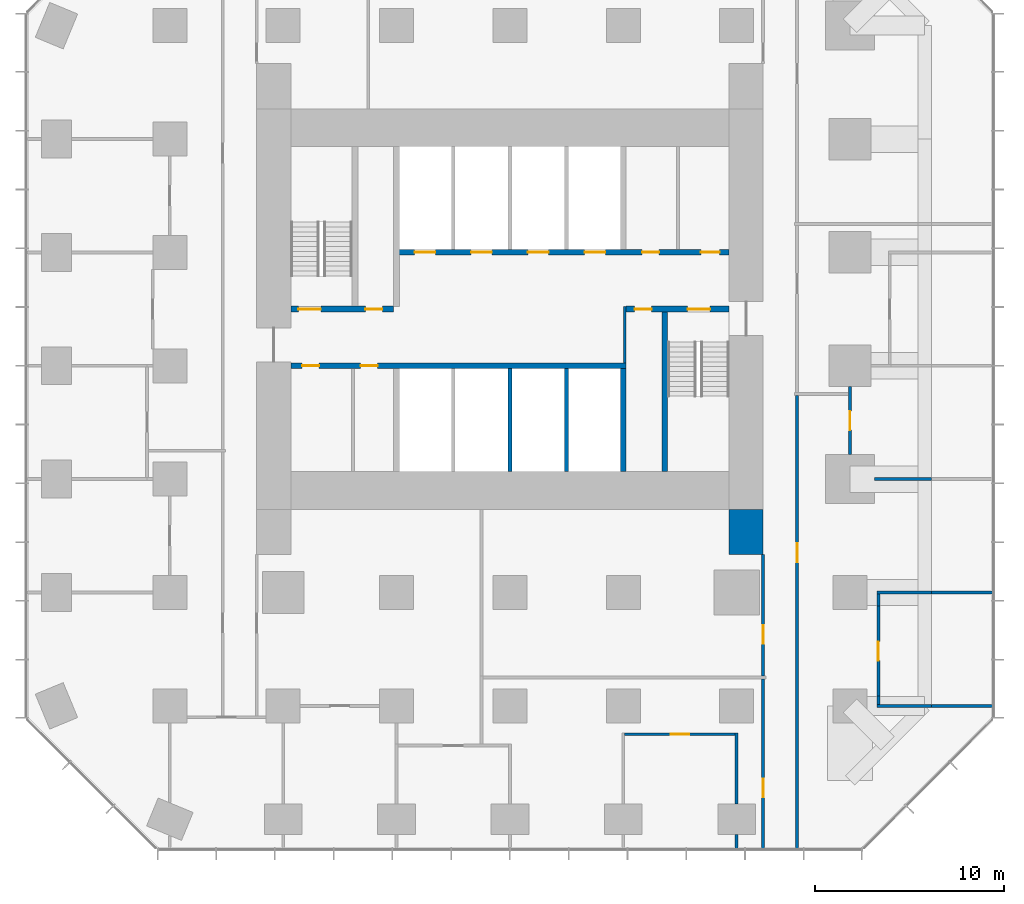
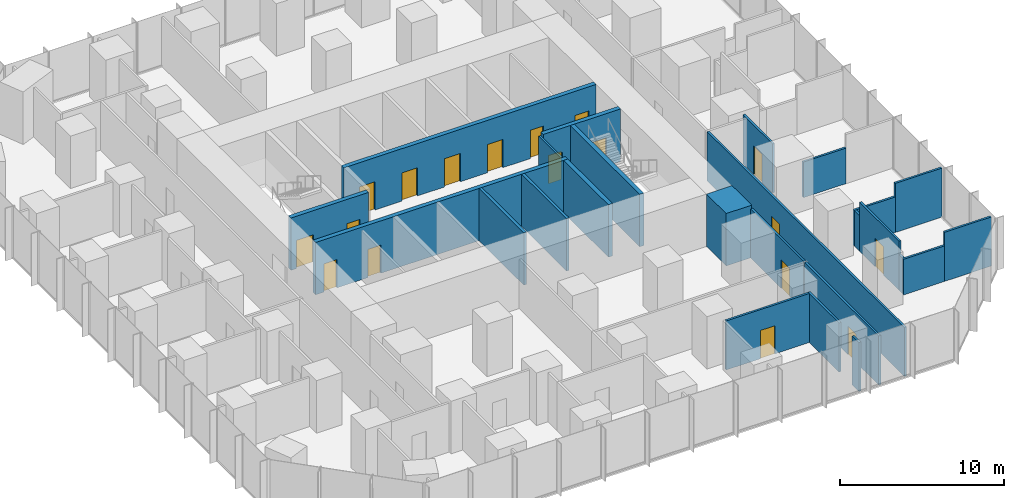
# One storey, part 9 of 12: 25 walls, 18 doors, 18 openings.
"""IFC4 building model written with IfcOpenShell, lengths in metres."""

import ifcopenshell
import ifcopenshell.guid

model = None  # the IFC model being written
_history = None  # IfcOwnerHistory: only IFC2X3 demands one
_inside = {}  # id of a spatial element -> (the spatial element, [elements in it])
_under = {}  # id of a project, library or spatial element -> (it, [spatial elements below it])
_declared = {}  # id of a project -> (the project, [libraries it declares])
_typed = {}  # id of a type object -> (the type object, [elements of that type])
_made_of = {}  # id of a material, layer set ... -> (it, [elements and type objects made of it])


def new_model(schema):
    """Start an empty IFC model of exactly this schema.

    Asked for "IFC4X3", IfcOpenShell would pick the latest addendum, in which some entities
    have other attributes; the version numbers below select the first issue.
    IFC2X3 requires an IfcOwnerHistory on every rooted entity: one is made here for all.
    """
    global model, _history
    if schema == "IFC4X3":
        model = ifcopenshell.file(schema_version=(4, 3, 0, 0))
    else:
        model = ifcopenshell.file(schema=schema)
    _inside.clear()
    _under.clear()
    _declared.clear()
    _typed.clear()
    _made_of.clear()
    _history = None
    if model.schema == "IFC2X3":
        org = make("IfcOrganization", Name="unknown")
        user = make(
            "IfcPersonAndOrganization",
            ThePerson=make("IfcPerson", FamilyName="unknown"),
            TheOrganization=org,
        )
        app = make(
            "IfcApplication",
            ApplicationDeveloper=org,
            Version="unknown",
            ApplicationFullName="unknown",
            ApplicationIdentifier="unknown",
        )
        _history = make(
            "IfcOwnerHistory",
            OwningUser=user,
            OwningApplication=app,
            ChangeAction="ADDED",
            CreationDate=0,
        )
    return model


def make(cls, **values):
    """One entity of the class cls with the attributes given. An attribute that is None is left unset."""
    return model.create_entity(
        cls, **{name: value for name, value in values.items() if value is not None}
    )


def rooted(cls, **values):
    """An entity with a GlobalId (a new one), such as an element, a storey or a relation."""
    return make(cls, GlobalId=ifcopenshell.guid.new(), OwnerHistory=_history, **values)


def si_unit(unit_type, name, prefix=None):
    """IfcSIUnit, for example si_unit("LENGTHUNIT", "METRE", prefix="MILLI")."""
    return make("IfcSIUnit", UnitType=unit_type, Prefix=prefix, Name=name)


def assignment(units):
    """IfcUnitAssignment: the units of a project."""
    return None if units is None else make("IfcUnitAssignment", Units=units)


def point(xyz):
    """IfcCartesianPoint."""
    return None if xyz is None else make("IfcCartesianPoint", Coordinates=xyz)


def direction(xyz):
    """IfcDirection."""
    return None if xyz is None else make("IfcDirection", DirectionRatios=xyz)


def frame(location, z_axis=None, x_axis=None):
    """IfcAxis2Placement3D, a coordinate frame: its origin and axes. An axis left out is left unset."""
    return make(
        "IfcAxis2Placement3D",
        Location=point(location),
        Axis=direction(z_axis),
        RefDirection=direction(x_axis),
    )


def frame_2d(location, x_axis=None):
    """IfcAxis2Placement2D, a coordinate frame in the plane: its origin and x axis."""
    return make(
        "IfcAxis2Placement2D", Location=point(location), RefDirection=direction(x_axis)
    )


def origin():
    """The frame at (0, 0, 0) with its axes left unset."""
    return frame((0.0, 0.0, 0.0))


def place(relative_to, where):
    """IfcLocalPlacement: puts the frame where relative to a parent placement (None: the world)."""
    return make(
        "IfcLocalPlacement", PlacementRelTo=relative_to, RelativePlacement=where
    )


def context(
    kind, dimensions, precision=None, world=None, true_north=None, identifier=None
):
    """IfcGeometricRepresentationContext, for example the 3D "Model" context."""
    return make(
        "IfcGeometricRepresentationContext",
        ContextIdentifier=identifier,
        ContextType=kind,
        CoordinateSpaceDimension=dimensions,
        Precision=precision,
        WorldCoordinateSystem=world,
        TrueNorth=true_north,
    )


def subcontext(parent, identifier, kind, view, scale=None):
    """IfcGeometricRepresentationSubContext, for example "Body" below "Model"."""
    return make(
        "IfcGeometricRepresentationSubContext",
        ContextIdentifier=identifier,
        ContextType=kind,
        ParentContext=parent,
        TargetScale=scale,
        TargetView=view,
    )


def project(units=None, contexts=None):
    """IfcProject with its units and contexts."""
    return rooted(
        "IfcProject",
        Name="project",
        RepresentationContexts=contexts,
        UnitsInContext=assignment(units),
    )


def spatial(cls, under=None, at=None, **own):
    """A site, building, storey or space (cls), placed at a placement, below another one or the project."""
    s = rooted(cls, ObjectPlacement=at, **own)
    if under is not None:
        _under.setdefault(under.id(), (under, []))[1].append(s)
    return s


def profile(cls, at=None, kind="AREA", **sizes):
    """A parametric profile (cls). Its sizes go by their IFC names, for example OverallWidth=200.0."""
    return make(cls, ProfileType=kind, Position=at, **sizes)


def rectangle(**sizes):
    """IfcRectangleProfileDef."""
    return profile("IfcRectangleProfileDef", **sizes)


def extrude(swept, where, along, depth):
    """IfcExtrudedAreaSolid: the profile swept, set in the frame where, extruded along a direction by depth."""
    return make(
        "IfcExtrudedAreaSolid",
        SweptArea=swept,
        Position=where,
        ExtrudedDirection=direction(along),
        Depth=depth,
    )


def shape(context_of_items, identifier, shape_type, items):
    """IfcShapeRepresentation: the items that make up one representation, for example the "Body"."""
    return make(
        "IfcShapeRepresentation",
        ContextOfItems=context_of_items,
        RepresentationIdentifier=identifier,
        RepresentationType=shape_type,
        Items=items,
    )


def material(Name=None, Category=None):
    """IfcMaterial."""
    return make("IfcMaterial", Name=Name, Category=Category)


def layer(
    of_material, thickness, ventilated=None, Name=None, Category=None, Priority=None
):
    """IfcMaterialLayer: one layer of a wall or slab, of a material (None: an air gap)."""
    return make(
        "IfcMaterialLayer",
        Material=of_material,
        LayerThickness=thickness,
        IsVentilated=ventilated,
        Name=Name,
        Category=Category,
        Priority=Priority,
    )


def layer_set(layers, Name=None):
    """IfcMaterialLayerSet."""
    return make("IfcMaterialLayerSet", MaterialLayers=layers, LayerSetName=Name)


def made_of(thing, what):
    """Note that an element or type object is made of a material, layer set ...; save() writes the relation."""
    if what is not None:
        _made_of.setdefault(what.id(), (what, []))[1].append(thing)
    return thing


def type_object(cls, material=None, **own):
    """A type object (cls), such as IfcWallType, which elements share."""
    return made_of(rooted(cls, **own), material)


def element(
    cls,
    number,
    at=None,
    inside=None,
    cuts=None,
    type_object=None,
    material=None,
    context=None,
    identifier="Body",
    shape_type=None,
    held_by="IfcProductDefinitionShape",
    body=None,
    shapes=None,
    **own,
):
    """One element of the class cls, such as IfcWall. Its Tag is "e" and its number.

    at: its placement. inside: the storey or other place that contains it. cuts: it is an
    opening in that element (IfcRelVoidsElement). A single representation is given by context,
    identifier, shape_type and body (its items); several are given by shapes. held_by: the class
    of the entity that holds the representations. save() writes the other relations.
    """
    e = rooted(cls, Tag="e%d" % number, ObjectPlacement=at, **own)
    if body is not None:
        shapes = [shape(context, identifier, shape_type, body)]
    if shapes is not None:
        e.Representation = make(held_by, Representations=shapes)
    if inside is not None:
        _inside.setdefault(inside.id(), (inside, []))[1].append(e)
    if cuts is not None:
        rooted(
            "IfcRelVoidsElement", RelatingBuildingElement=cuts, RelatedOpeningElement=e
        )
    if type_object is not None:
        _typed.setdefault(type_object.id(), (type_object, []))[1].append(e)
    return made_of(e, material)


def fill(opening, filler):
    """IfcRelFillsElement: the door or window that sits in an opening."""
    return rooted(
        "IfcRelFillsElement",
        RelatingOpeningElement=opening,
        RelatedBuildingElement=filler,
    )


def aggregate(whole, parts):
    """IfcRelAggregates: a whole, such as a stair, and the parts it consists of."""
    return rooted("IfcRelAggregates", RelatingObject=whole, RelatedObjects=parts)


def save(model, path):
    """Write the relations noted so far, then the file.

    IfcRelAggregates (storeys below a building ...), IfcRelContainedInSpatialStructure (elements
    in a storey), IfcRelDefinesByType, IfcRelAssociatesMaterial and IfcRelDeclares: one each for
    every whole, place, type object, material and project.
    """
    for whole, parts in _under.values():
        aggregate(whole, parts)
    for where, things in _inside.values():
        rooted(
            "IfcRelContainedInSpatialStructure",
            RelatedElements=things,
            RelatingStructure=where,
        )
    for kind, things in _typed.values():
        rooted("IfcRelDefinesByType", RelatedObjects=things, RelatingType=kind)
    for what, things in _made_of.values():
        rooted("IfcRelAssociatesMaterial", RelatedObjects=things, RelatingMaterial=what)
    for by, libraries in _declared.values():
        rooted("IfcRelDeclares", RelatingContext=by, RelatedDefinitions=libraries)
    model.write(path)


model = new_model("IFC4")

# Units and contexts
model_context = context("Model", 3, precision=1e-05, world=origin(), true_north=direction((0.0, 1.0)))
body_context = subcontext(model_context, "Body", "Model", "MODEL_VIEW")
ifc_project = project(units=[si_unit("LENGTHUNIT", "METRE"), si_unit("AREAUNIT", "SQUARE_METRE"), si_unit("VOLUMEUNIT", "CUBIC_METRE"), si_unit("PLANEANGLEUNIT", "RADIAN"), si_unit("MASSUNIT", "GRAM", prefix="KILO")], contexts=[model_context])

# Site, building, storey
site_placement = place(None, origin())
site = spatial("IfcSite", under=ifc_project, at=site_placement, CompositionType="ELEMENT")
building_placement = place(site_placement, origin())
building = spatial("IfcBuilding", under=site, at=building_placement, Name="Highveld Stack Headquarters", CompositionType="ELEMENT")
storey_placement = place(building_placement, frame((0.0, 0.0, 57.199951171875)))
storey = spatial("IfcBuildingStorey", under=building, at=storey_placement, Name="L13", CompositionType="ELEMENT", Elevation=57.199951171875)

# Wall, openings, doors
ifc_material_1 = material(Name="Concrete C60/75", Category="concrete")
ifc_layer_1 = layer(ifc_material_1, 0.300048828125)
ifc_layer_set_1 = layer_set([ifc_layer_1], Name="Concrete C60/75")
wall_type_1 = type_object("IfcWallType", Name="CORE WALL 300 C60/75", PredefinedType="SHEAR", material=ifc_layer_set_1)
wall_1_placement = place(storey_placement, frame((-5.60009765625, 0.0, 0.0), z_axis=(0.0, 0.0, 1.0), x_axis=(1.0, 0.0, 0.0)))
wall_1 = element("IfcWall", 1, at=wall_1_placement, inside=storey, type_object=wall_type_1, Name="Core wall I-Y0 L13", PredefinedType="SHEAR", context=body_context, shape_type="SweptSolid", body=[
    extrude(rectangle(XDim=17.75, YDim=0.300048828125, at=frame_2d((8.875, 0.0))), origin(), (0.0, 0.0, 1.0), 3.900146484375),
])
opening_1_placement = place(wall_1_placement, frame((0.60009765625, 0.0, 0.0)))
opening_1 = element("IfcOpeningElement", 2, at=opening_1_placement, cuts=wall_1, Name="Opening L13-07", PredefinedType="OPENING", context=body_context, shape_type="SweptSolid", body=[
    extrude(rectangle(XDim=0.89990234375, YDim=2.10009765625, at=frame_2d((0.449951171875, 1.050048828125))), frame((0.0, 0.159912109375, 0.0), z_axis=(0.0, -1.0, 0.0), x_axis=(1.0, 0.0, 0.0)), (0.0, 0.0, 1.0), 0.320068359375),
])
opening_2_placement = place(wall_1_placement, frame((3.699951171875, 0.0, 0.0)))
opening_2 = element("IfcOpeningElement", 3, at=opening_2_placement, cuts=wall_1, Name="Opening L13-08", PredefinedType="OPENING", context=body_context, shape_type="SweptSolid", body=[
    extrude(rectangle(XDim=0.89990234375, YDim=2.10009765625, at=frame_2d((0.449951171875, 1.050048828125))), frame((0.0, 0.159912109375, 0.0), z_axis=(0.0, -1.0, 0.0), x_axis=(1.0, 0.0, 0.0)), (0.0, 0.0, 1.0), 0.320068359375),
])
ifc_material_2 = material(Name="Timber door, painted", Category="wood")
door_type_1 = type_object("IfcDoorType", Name="WC DOOR D1 900x2100", OperationType="SINGLE_SWING_LEFT", PredefinedType="DOOR", material=ifc_material_2)
door_1_placement = place(opening_1_placement, origin())
door_1 = element("IfcDoor", 4, at=door_1_placement, inside=storey, type_object=door_type_1, Name="Female WC door L13", OperationType="SINGLE_SWING_LEFT", OverallHeight=2.10009765625, OverallWidth=0.89990234375, PredefinedType="DOOR", context=body_context, shape_type="SweptSolid", body=[
    extrude(rectangle(XDim=0.89990234375, YDim=2.10009765625, at=frame_2d((0.449951171875, 1.050048828125))), frame((0.0, 0.02490234375, 0.0), z_axis=(0.0, -1.0, 0.0), x_axis=(1.0, 0.0, 0.0)), (0.0, 0.0, 1.0), 0.050048828125),
])
fill(opening_1, door_1)
door_2_placement = place(opening_2_placement, origin())
door_2 = element("IfcDoor", 5, at=door_2_placement, inside=storey, type_object=door_type_1, Name="Shower and changing room door L13", OperationType="SINGLE_SWING_LEFT", OverallHeight=2.10009765625, OverallWidth=0.89990234375, PredefinedType="DOOR", context=body_context, shape_type="SweptSolid", body=[
    extrude(rectangle(XDim=0.89990234375, YDim=2.10009765625, at=frame_2d((0.449951171875, 1.050048828125))), frame((0.0, 0.02490234375, 0.0), z_axis=(0.0, -1.0, 0.0), x_axis=(1.0, 0.0, 0.0)), (0.0, 0.0, 1.0), 0.050048828125),
])
fill(opening_2, door_2)

wall_2_placement = place(storey_placement, frame((-5.60009765625, 3.0, 0.0), z_axis=(0.0, 0.0, 1.0), x_axis=(1.0, 0.0, 0.0)))
wall_2 = element("IfcWall", 6, at=wall_2_placement, inside=storey, type_object=wall_type_1, Name="Core wall I-Y3W L13", PredefinedType="SHEAR", context=body_context, shape_type="SweptSolid", body=[
    extrude(rectangle(XDim=5.4501953125, YDim=0.300048828125, at=frame_2d((2.72509765625, 0.0))), origin(), (0.0, 0.0, 1.0), 3.900146484375),
])
opening_3_placement = place(wall_2_placement, frame((0.39990234375, 0.0, 0.0)))
opening_3 = element("IfcOpeningElement", 7, at=opening_3_placement, cuts=wall_2, Name="Opening L13-03", PredefinedType="OPENING", context=body_context, shape_type="SweptSolid", body=[
    extrude(rectangle(XDim=1.199951171875, YDim=2.10009765625, at=frame_2d((0.60009765625, 1.050048828125))), frame((0.0, 0.159912109375, 0.0), z_axis=(0.0, -1.0, 0.0), x_axis=(1.0, 0.0, 0.0)), (0.0, 0.0, 1.0), 0.320068359375),
])
opening_4_placement = place(wall_2_placement, frame((3.949951171875, 0.0, 0.0)))
opening_4 = element("IfcOpeningElement", 8, at=opening_4_placement, cuts=wall_2, Name="Opening L13-04", PredefinedType="OPENING", context=body_context, shape_type="SweptSolid", body=[
    extrude(rectangle(XDim=0.89990234375, YDim=2.10009765625, at=frame_2d((0.449951171875, 1.050048828125))), frame((0.0, 0.159912109375, 0.0), z_axis=(0.0, -1.0, 0.0), x_axis=(1.0, 0.0, 0.0)), (0.0, 0.0, 1.0), 0.320068359375),
])
ifc_material_3 = material(Name="Steel fire door", Category="steel")
door_type_2 = type_object("IfcDoorType", Name="RISER ACCESS DOOR D5 900x2100", OperationType="SINGLE_SWING_LEFT", PredefinedType="DOOR", material=ifc_material_3)
door_3_placement = place(opening_4_placement, origin())
door_3 = element("IfcDoor", 9, at=door_3_placement, inside=storey, type_object=door_type_2, Name="Riser R1 door L13", OperationType="SINGLE_SWING_RIGHT", OverallHeight=2.10009765625, OverallWidth=0.89990234375, PredefinedType="DOOR", context=body_context, shape_type="SweptSolid", body=[
    extrude(rectangle(XDim=0.89990234375, YDim=2.10009765625, at=frame_2d((0.449951171875, 1.050048828125))), frame((0.0, 0.02490234375, 0.0), z_axis=(0.0, -1.0, 0.0), x_axis=(1.0, 0.0, 0.0)), (0.0, 0.0, 1.0), 0.050048828125),
])
fill(opening_4, door_3)
ifc_material_4 = material(Name="Steel fire door", Category="steel")
door_type_3 = type_object("IfcDoorType", Name="STAIR FIRE DOOR D3 1200x2100", OperationType="SINGLE_SWING_LEFT", PredefinedType="DOOR", material=ifc_material_4)
door_4_placement = place(opening_3_placement, origin())
door_4 = element("IfcDoor", 10, at=door_4_placement, inside=storey, type_object=door_type_3, Name="Stair S1 door L13", OperationType="SINGLE_SWING_LEFT", OverallHeight=2.10009765625, OverallWidth=1.199951171875, PredefinedType="DOOR", context=body_context, shape_type="SweptSolid", body=[
    extrude(rectangle(XDim=1.199951171875, YDim=2.10009765625, at=frame_2d((0.60009765625, 1.050048828125))), frame((0.0, 0.02490234375, 0.0), z_axis=(0.0, -1.0, 0.0), x_axis=(1.0, 0.0, 0.0)), (0.0, 0.0, 1.0), 0.050048828125),
])
fill(opening_3, door_4)

wall_3_placement = place(storey_placement, frame((12.14990234375, 3.0, 0.0), z_axis=(0.0, 0.0, 1.0), x_axis=(1.0, 0.0, 0.0)))
wall_3 = element("IfcWall", 11, at=wall_3_placement, inside=storey, type_object=wall_type_1, Name="Core wall I-Y3E L13", PredefinedType="SHEAR", context=body_context, shape_type="SweptSolid", body=[
    extrude(rectangle(XDim=5.4501953125, YDim=0.300048828125, at=frame_2d((2.72509765625, 0.0))), origin(), (0.0, 0.0, 1.0), 3.900146484375),
])
opening_5_placement = place(wall_3_placement, frame((3.25, 0.0, 0.0)))
opening_5 = element("IfcOpeningElement", 12, at=opening_5_placement, cuts=wall_3, Name="Opening L13-05", PredefinedType="OPENING", context=body_context, shape_type="SweptSolid", body=[
    extrude(rectangle(XDim=1.199951171875, YDim=2.10009765625, at=frame_2d((0.60009765625, 1.050048828125))), frame((0.0, 0.159912109375, 0.0), z_axis=(0.0, -1.0, 0.0), x_axis=(1.0, 0.0, 0.0)), (0.0, 0.0, 1.0), 0.320068359375),
])
opening_6_placement = place(wall_3_placement, frame((0.449951171875, 0.0, 0.0)))
opening_6 = element("IfcOpeningElement", 13, at=opening_6_placement, cuts=wall_3, Name="Opening L13-06", PredefinedType="OPENING", context=body_context, shape_type="SweptSolid", body=[
    extrude(rectangle(XDim=0.89990234375, YDim=2.10009765625, at=frame_2d((0.449951171875, 1.050048828125))), frame((0.0, 0.159912109375, 0.0), z_axis=(0.0, -1.0, 0.0), x_axis=(1.0, 0.0, 0.0)), (0.0, 0.0, 1.0), 0.320068359375),
])
door_5_placement = place(opening_6_placement, origin())
door_5 = element("IfcDoor", 14, at=door_5_placement, inside=storey, type_object=door_type_2, Name="Riser R2 door L13", OperationType="SINGLE_SWING_LEFT", OverallHeight=2.10009765625, OverallWidth=0.89990234375, PredefinedType="DOOR", context=body_context, shape_type="SweptSolid", body=[
    extrude(rectangle(XDim=0.89990234375, YDim=2.10009765625, at=frame_2d((0.449951171875, 1.050048828125))), frame((0.0, 0.02490234375, 0.0), z_axis=(0.0, -1.0, 0.0), x_axis=(1.0, 0.0, 0.0)), (0.0, 0.0, 1.0), 0.050048828125),
])
fill(opening_6, door_5)
door_6_placement = place(opening_5_placement, origin())
door_6 = element("IfcDoor", 15, at=door_6_placement, inside=storey, type_object=door_type_3, Name="Stair S2 door L13", OperationType="SINGLE_SWING_RIGHT", OverallHeight=2.10009765625, OverallWidth=1.199951171875, PredefinedType="DOOR", context=body_context, shape_type="SweptSolid", body=[
    extrude(rectangle(XDim=1.199951171875, YDim=2.10009765625, at=frame_2d((0.60009765625, 1.050048828125))), frame((0.0, 0.02490234375, 0.0), z_axis=(0.0, -1.0, 0.0), x_axis=(1.0, 0.0, 0.0)), (0.0, 0.0, 1.0), 0.050048828125),
])
fill(opening_5, door_6)

wall_4_placement = place(storey_placement, frame((-0.14990234375, 6.0, 0.0), z_axis=(0.0, 0.0, 1.0), x_axis=(1.0, 0.0, 0.0)))
wall_4 = element("IfcWall", 16, at=wall_4_placement, inside=storey, type_object=wall_type_1, Name="Core wall I-Y6 L13", PredefinedType="SHEAR", context=body_context, shape_type="SweptSolid", body=[
    extrude(rectangle(XDim=17.75, YDim=0.300048828125, at=frame_2d((8.875, 0.0))), origin(), (0.0, 0.0, 1.0), 3.900146484375),
])
opening_7_placement = place(wall_4_placement, frame((13.14990234375, 0.0, 0.0)))
opening_7 = element("IfcOpeningElement", 17, at=opening_7_placement, cuts=wall_4, Name="Opening L13-09", PredefinedType="OPENING", context=body_context, shape_type="SweptSolid", body=[
    extrude(rectangle(XDim=0.89990234375, YDim=2.10009765625, at=frame_2d((0.449951171875, 1.050048828125))), frame((0.0, 0.159912109375, 0.0), z_axis=(0.0, -1.0, 0.0), x_axis=(1.0, 0.0, 0.0)), (0.0, 0.0, 1.0), 0.320068359375),
])
opening_8_placement = place(wall_4_placement, frame((16.25, 0.0, 0.0)))
opening_8 = element("IfcOpeningElement", 18, at=opening_8_placement, cuts=wall_4, Name="Opening L13-10", PredefinedType="OPENING", context=body_context, shape_type="SweptSolid", body=[
    extrude(rectangle(XDim=1.0, YDim=2.10009765625, at=frame_2d((0.5, 1.050048828125))), frame((0.0, 0.159912109375, 0.0), z_axis=(0.0, -1.0, 0.0), x_axis=(1.0, 0.0, 0.0)), (0.0, 0.0, 1.0), 0.320068359375),
])
opening_9_placement = place(wall_4_placement, frame((1.10009765625, 0.0, 0.0)))
opening_9 = element("IfcOpeningElement", 19, at=opening_9_placement, cuts=wall_4, Name="Opening LD", PredefinedType="OPENING", context=body_context, shape_type="SweptSolid", body=[
    extrude(rectangle(XDim=1.10009765625, YDim=2.10009765625, at=frame_2d((0.550048828125, 1.050048828125))), frame((0.0, 0.159912109375, 0.0), z_axis=(0.0, -1.0, 0.0), x_axis=(1.0, 0.0, 0.0)), (0.0, 0.0, 1.0), 0.320068359375),
])
opening_10_placement = place(wall_4_placement, frame((4.10009765625, 0.0, 0.0)))
opening_10 = element("IfcOpeningElement", 20, at=opening_10_placement, cuts=wall_4, Name="Opening LD", PredefinedType="OPENING", context=body_context, shape_type="SweptSolid", body=[
    extrude(rectangle(XDim=1.10009765625, YDim=2.10009765625, at=frame_2d((0.550048828125, 1.050048828125))), frame((0.0, 0.159912109375, 0.0), z_axis=(0.0, -1.0, 0.0), x_axis=(1.0, 0.0, 0.0)), (0.0, 0.0, 1.0), 0.320068359375),
])
opening_11_placement = place(wall_4_placement, frame((7.10009765625, 0.0, 0.0)))
opening_11 = element("IfcOpeningElement", 21, at=opening_11_placement, cuts=wall_4, Name="Opening LD", PredefinedType="OPENING", context=body_context, shape_type="SweptSolid", body=[
    extrude(rectangle(XDim=1.10009765625, YDim=2.10009765625, at=frame_2d((0.550048828125, 1.050048828125))), frame((0.0, 0.159912109375, 0.0), z_axis=(0.0, -1.0, 0.0), x_axis=(1.0, 0.0, 0.0)), (0.0, 0.0, 1.0), 0.320068359375),
])
opening_12_placement = place(wall_4_placement, frame((10.10009765625, 0.0, 0.0)))
opening_12 = element("IfcOpeningElement", 22, at=opening_12_placement, cuts=wall_4, Name="Opening LD", PredefinedType="OPENING", context=body_context, shape_type="SweptSolid", body=[
    extrude(rectangle(XDim=1.10009765625, YDim=2.10009765625, at=frame_2d((0.550048828125, 1.050048828125))), frame((0.0, 0.159912109375, 0.0), z_axis=(0.0, -1.0, 0.0), x_axis=(1.0, 0.0, 0.0)), (0.0, 0.0, 1.0), 0.320068359375),
])
ifc_material_5 = material(Name="Timber door, painted", Category="wood")
door_type_4 = type_object("IfcDoorType", Name="ACCESSIBLE WC DOOR D2 1000x2100", OperationType="SINGLE_SWING_RIGHT", PredefinedType="DOOR", material=ifc_material_5)
door_7_placement = place(opening_8_placement, origin())
door_7 = element("IfcDoor", 23, at=door_7_placement, inside=storey, type_object=door_type_4, Name="Accessible WC door L13", OperationType="SINGLE_SWING_RIGHT", OverallHeight=2.10009765625, OverallWidth=1.0, PredefinedType="DOOR", context=body_context, shape_type="SweptSolid", body=[
    extrude(rectangle(XDim=1.0, YDim=2.10009765625, at=frame_2d((0.5, 1.050048828125))), frame((0.0, 0.02490234375, 0.0), z_axis=(0.0, -1.0, 0.0), x_axis=(1.0, 0.0, 0.0)), (0.0, 0.0, 1.0), 0.050048828125),
])
fill(opening_8, door_7)
ifc_material_6 = material(Name="Stainless steel lift landing door", Category="steel")
door_type_5 = type_object("IfcDoorType", Name="LIFT LANDING DOOR LD 1100x2100", OperationType="DOUBLE_DOOR_SLIDING", PredefinedType="USERDEFINED", material=ifc_material_6)
door_8_placement = place(opening_9_placement, origin())
door_8 = element("IfcDoor", 24, at=door_8_placement, inside=storey, type_object=door_type_5, Name="Lift landing door FF1 L13", ObjectType="LIFT LANDING DOOR", OperationType="DOUBLE_DOOR_SLIDING", OverallHeight=2.10009765625, OverallWidth=1.10009765625, PredefinedType="USERDEFINED", context=body_context, shape_type="SweptSolid", body=[
    extrude(rectangle(XDim=1.10009765625, YDim=2.10009765625, at=frame_2d((0.550048828125, 1.050048828125))), frame((0.0, 0.02490234375, 0.0), z_axis=(0.0, -1.0, 0.0), x_axis=(1.0, 0.0, 0.0)), (0.0, 0.0, 1.0), 0.050048828125),
])
fill(opening_9, door_8)
door_9_placement = place(opening_10_placement, origin())
door_9 = element("IfcDoor", 25, at=door_9_placement, inside=storey, type_object=door_type_5, Name="Lift landing door FF2 L13", ObjectType="LIFT LANDING DOOR", OperationType="DOUBLE_DOOR_SLIDING", OverallHeight=2.10009765625, OverallWidth=1.10009765625, PredefinedType="USERDEFINED", context=body_context, shape_type="SweptSolid", body=[
    extrude(rectangle(XDim=1.10009765625, YDim=2.10009765625, at=frame_2d((0.550048828125, 1.050048828125))), frame((0.0, 0.02490234375, 0.0), z_axis=(0.0, -1.0, 0.0), x_axis=(1.0, 0.0, 0.0)), (0.0, 0.0, 1.0), 0.050048828125),
])
fill(opening_10, door_9)
door_10_placement = place(opening_11_placement, origin())
door_10 = element("IfcDoor", 26, at=door_10_placement, inside=storey, type_object=door_type_5, Name="Lift landing door A1 L13", ObjectType="LIFT LANDING DOOR", OperationType="DOUBLE_DOOR_SLIDING", OverallHeight=2.10009765625, OverallWidth=1.10009765625, PredefinedType="USERDEFINED", context=body_context, shape_type="SweptSolid", body=[
    extrude(rectangle(XDim=1.10009765625, YDim=2.10009765625, at=frame_2d((0.550048828125, 1.050048828125))), frame((0.0, 0.02490234375, 0.0), z_axis=(0.0, -1.0, 0.0), x_axis=(1.0, 0.0, 0.0)), (0.0, 0.0, 1.0), 0.050048828125),
])
fill(opening_11, door_10)
door_11_placement = place(opening_12_placement, origin())
door_11 = element("IfcDoor", 27, at=door_11_placement, inside=storey, type_object=door_type_5, Name="Lift landing door A2 L13", ObjectType="LIFT LANDING DOOR", OperationType="DOUBLE_DOOR_SLIDING", OverallHeight=2.10009765625, OverallWidth=1.10009765625, PredefinedType="USERDEFINED", context=body_context, shape_type="SweptSolid", body=[
    extrude(rectangle(XDim=1.10009765625, YDim=2.10009765625, at=frame_2d((0.550048828125, 1.050048828125))), frame((0.0, 0.02490234375, 0.0), z_axis=(0.0, -1.0, 0.0), x_axis=(1.0, 0.0, 0.0)), (0.0, 0.0, 1.0), 0.050048828125),
])
fill(opening_12, door_11)
door_12_placement = place(opening_7_placement, origin())
door_12 = element("IfcDoor", 28, at=door_12_placement, inside=storey, type_object=door_type_1, Name="Male WC door L13", OperationType="SINGLE_SWING_RIGHT", OverallHeight=2.10009765625, OverallWidth=0.89990234375, PredefinedType="DOOR", context=body_context, shape_type="SweptSolid", body=[
    extrude(rectangle(XDim=0.89990234375, YDim=2.10009765625, at=frame_2d((0.449951171875, 1.050048828125))), frame((0.0, 0.02490234375, 0.0), z_axis=(0.0, -1.0, 0.0), x_axis=(1.0, 0.0, 0.0)), (0.0, 0.0, 1.0), 0.050048828125),
])
fill(opening_7, door_12)

# Walls
wall_5_placement = place(storey_placement, frame((12.0, -5.60009765625, 0.0), z_axis=(0.0, 0.0, 1.0), x_axis=(0.0, 1.0, 0.0)))
element("IfcWall", 29, at=wall_5_placement, inside=storey, type_object=wall_type_1, Name="Core wall I-X12S L13", PredefinedType="SHEAR", context=body_context, shape_type="SweptSolid", body=[
    extrude(rectangle(XDim=5.4501953125, YDim=0.300048828125, at=frame_2d((2.72509765625, 0.0))), origin(), (0.0, 0.0, 1.0), 3.900146484375),
])
wall_6_placement = place(storey_placement, frame((14.199951171875, -5.60009765625, 0.0), z_axis=(0.0, 0.0, 1.0), x_axis=(0.0, 1.0, 0.0)))
element("IfcWall", 30, at=wall_6_placement, inside=storey, type_object=wall_type_1, Name="Core wall I-RE L13", PredefinedType="SHEAR", context=body_context, shape_type="SweptSolid", body=[
    extrude(rectangle(XDim=8.4501953125, YDim=0.300048828125, at=frame_2d((4.22509765625, 0.0))), origin(), (0.0, 0.0, 1.0), 3.900146484375),
])
ifc_material_7 = material(Name="Concrete C60/75", Category="concrete")
ifc_layer_2 = layer(ifc_material_7, 1.800048828125)
ifc_layer_set_2 = layer_set([ifc_layer_2], Name="Concrete C60/75")
wall_type_2 = type_object("IfcWallType", Name="CORE WING WALL 1800 C60/75", PredefinedType="SHEAR", material=ifc_layer_set_2)
wall_7_placement = place(storey_placement, frame((18.5, -10.0, 0.0), z_axis=(0.0, 0.0, 1.0), x_axis=(0.0, 1.0, 0.0)))
element("IfcWall", 31, at=wall_7_placement, inside=storey, type_object=wall_type_2, Name="Core wing wall ES L13", PredefinedType="SHEAR", context=body_context, shape_type="SweptSolid", body=[
    extrude(rectangle(XDim=2.39990234375, YDim=1.800048828125, at=frame_2d((1.199951171875, 0.0))), origin(), (0.0, 0.0, 1.0), 3.900146484375),
])
ifc_material_8 = material(Name="Concrete blockwork, plastered", Category="masonry")
ifc_layer_3 = layer(ifc_material_8, 0.14990234375)
ifc_layer_set_3 = layer_set([ifc_layer_3], Name="Concrete blockwork, plastered")
wall_type_3 = type_object("IfcWallType", Name="FIRE PARTITION 150 BLOCKWORK", PredefinedType="PARTITIONING", material=ifc_layer_set_3)
wall_8_placement = place(storey_placement, frame((12.074951171875, 0.14990234375, 0.0), z_axis=(0.0, 0.0, 1.0), x_axis=(0.0, 1.0, 0.0)))
element("IfcWall", 32, at=wall_8_placement, inside=storey, type_object=wall_type_3, Name="Riser R2 enclosure L13", PredefinedType="PARTITIONING", context=body_context, shape_type="SweptSolid", body=[
    extrude(rectangle(XDim=3.0, YDim=0.14990234375, at=frame_2d((1.5, 0.0))), origin(), (0.0, 0.0, 1.0), 3.650146484375),
])

# Wall, opening, door
ifc_material_9 = material(Name="Laminated glass in aluminium frame", Category="aluminium")
ifc_layer_4 = layer(ifc_material_9, 0.14990234375)
ifc_layer_set_4 = layer_set([ifc_layer_4], Name="Laminated glass in aluminium frame")
wall_type_4 = type_object("IfcWallType", Name="GLAZED PARTITION 150", PredefinedType="PARTITIONING", material=ifc_layer_set_4)
wall_9_placement = place(storey_placement, frame((24.0, -4.699951171875, 0.0), z_axis=(0.0, 0.0, 1.0), x_axis=(0.0, 1.0, 0.0)))
wall_9 = element("IfcWall", 33, at=wall_9_placement, inside=storey, type_object=wall_type_4, Name="Glazed partition Meeting room L13", PredefinedType="PARTITIONING", context=body_context, shape_type="SweptSolid", body=[
    extrude(rectangle(XDim=3.599853515625, YDim=0.14990234375, at=frame_2d((1.7998046875, 0.0))), origin(), (0.0, 0.0, 1.0), 3.650146484375),
])
opening_13_placement = place(wall_9_placement, frame((1.300048828125, 0.0, 0.0)))
opening_13 = element("IfcOpeningElement", 34, at=opening_13_placement, cuts=wall_9, Name="Opening L13-20", PredefinedType="OPENING", context=body_context, shape_type="SweptSolid", body=[
    extrude(rectangle(XDim=1.0, YDim=2.10009765625, at=frame_2d((0.5, 1.050048828125))), frame((0.0, 0.0849609375, 0.0), z_axis=(0.0, -1.0, 0.0), x_axis=(1.0, 0.0, 0.0)), (0.0, 0.0, 1.0), 0.169921875),
])
ifc_material_10 = material(Name="Timber door, oiled ash", Category="wood")
door_type_6 = type_object("IfcDoorType", Name="ROOM DOOR D6 1000x2100", OperationType="SINGLE_SWING_LEFT", PredefinedType="DOOR", material=ifc_material_10)
door_13_placement = place(opening_13_placement, origin())
door_13 = element("IfcDoor", 35, at=door_13_placement, inside=storey, type_object=door_type_6, Name="Meeting room door 1 L13", OperationType="SINGLE_SWING_LEFT", OverallHeight=2.10009765625, OverallWidth=1.0, PredefinedType="DOOR", context=body_context, shape_type="SweptSolid", body=[
    extrude(rectangle(XDim=1.0, YDim=2.10009765625, at=frame_2d((0.5, 1.050048828125))), frame((0.0, 0.02490234375, 0.0), z_axis=(0.0, -1.0, 0.0), x_axis=(1.0, 0.0, 0.0)), (0.0, 0.0, 1.0), 0.050048828125),
])
fill(opening_13, door_13)

# Walls
ifc_material_11 = material(Name="Concrete blockwork, fair-faced", Category="masonry")
ifc_layer_5 = layer(ifc_material_11, 0.199951171875)
ifc_layer_set_5 = layer_set([ifc_layer_5], Name="Concrete blockwork, fair-faced")
wall_type_5 = type_object("IfcWallType", Name="LIFT SHAFT ENCLOSURE WALL 200 BLOCKWORK", PredefinedType="SOLIDWALL", material=ifc_layer_set_5)
for number, where, z_axis, x_axis, name in (
    (36, (6.0, -5.60009765625, 0.0), (0.0, 0.0, 1.0), (0.0, 1.0, 0.0), "Lift shaft wall L13"),
    (37, (9.0, -5.60009765625, 0.0), (0.0, 0.0, 1.0), (0.0, 1.0, 0.0), "Lift shaft wall L13"),
):
    element("IfcWall", number, at=place(storey_placement, frame(where, z_axis=z_axis, x_axis=x_axis)), inside=storey, type_object=wall_type_5, Name=name, PredefinedType="SOLIDWALL", context=body_context, shape_type="SweptSolid", body=[
        extrude(rectangle(XDim=5.4501953125, YDim=0.199951171875, at=frame_2d((2.72509765625, 0.0))), origin(), (0.0, 0.0, 1.0), 3.900146484375),
    ])

# Wall, opening, door
ifc_material_12 = material(Name="Gypsum plasterboard on steel studs", Category="steel")
ifc_layer_6 = layer(ifc_material_12, 0.14990234375)
ifc_layer_set_6 = layer_set([ifc_layer_6], Name="Gypsum plasterboard on steel studs")
wall_type_6 = type_object("IfcWallType", Name="PARTITION 150 PLASTERBOARD", PredefinedType="PARTITIONING", material=ifc_layer_set_6)
wall_10_placement = place(storey_placement, frame((12.074951171875, -19.5, 0.0), z_axis=(0.0, 0.0, 1.0), x_axis=(1.0, 0.0, 0.0)))
wall_10 = element("IfcWall", 38, at=wall_10_placement, inside=storey, type_object=wall_type_6, Name="Partition Quiet room L13", PredefinedType="PARTITIONING", context=body_context, shape_type="SweptSolid", body=[
    extrude(rectangle(XDim=5.85009765625, YDim=0.14990234375, at=frame_2d((2.925048828125, 0.0))), origin(), (0.0, 0.0, 1.0), 3.650146484375),
])
opening_14_placement = place(wall_10_placement, frame((2.425048828125, 0.0, 0.0)))
opening_14 = element("IfcOpeningElement", 39, at=opening_14_placement, cuts=wall_10, Name="Opening L13-14", PredefinedType="OPENING", context=body_context, shape_type="SweptSolid", body=[
    extrude(rectangle(XDim=1.0, YDim=2.10009765625, at=frame_2d((0.5, 1.050048828125))), frame((0.0, 0.0849609375, 0.0), z_axis=(0.0, -1.0, 0.0), x_axis=(1.0, 0.0, 0.0)), (0.0, 0.0, 1.0), 0.169921875),
])
door_14_placement = place(opening_14_placement, origin())
door_14 = element("IfcDoor", 40, at=door_14_placement, inside=storey, type_object=door_type_6, Name="Quiet room door 1 L13", OperationType="SINGLE_SWING_LEFT", OverallHeight=2.10009765625, OverallWidth=1.0, PredefinedType="DOOR", context=body_context, shape_type="SweptSolid", body=[
    extrude(rectangle(XDim=1.0, YDim=2.10009765625, at=frame_2d((0.5, 1.050048828125))), frame((0.0, 0.02490234375, 0.0), z_axis=(0.0, -1.0, 0.0), x_axis=(1.0, 0.0, 0.0)), (0.0, 0.0, 1.0), 0.050048828125),
])
fill(opening_14, door_14)

# Walls
wall_11_placement = place(storey_placement, frame((25.425048828125, -18.0, 0.0), z_axis=(0.0, 0.0, 1.0), x_axis=(1.0, 0.0, 0.0)))
element("IfcWall", 41, at=wall_11_placement, inside=storey, type_object=wall_type_6, Name="Partition Quiet room L13", PredefinedType="PARTITIONING", context=body_context, shape_type="SweptSolid", body=[
    extrude(rectangle(XDim=2.885009765625, YDim=0.14990234375, at=frame_2d((1.4423828125, 0.0))), origin(), (0.0, 0.0, 1.0), 2.650146484375),
])
wall_12_placement = place(storey_placement, frame((28.31005859375, -18.0, 0.0), z_axis=(0.0, 0.0, 1.0), x_axis=(1.0, 0.0, 0.0)))
element("IfcWall", 42, at=wall_12_placement, inside=storey, type_object=wall_type_6, Name="Partition Quiet room L13", PredefinedType="PARTITIONING", context=body_context, shape_type="SweptSolid", body=[
    extrude(rectangle(XDim=3.2900390625, YDim=0.14990234375, at=frame_2d((1.64501953125, 0.0))), origin(), (0.0, 0.0, 1.0), 3.650146484375),
])
wall_13_placement = place(storey_placement, frame((25.425048828125, -12.0, 0.0), z_axis=(0.0, 0.0, 1.0), x_axis=(1.0, 0.0, 0.0)))
element("IfcWall", 43, at=wall_13_placement, inside=storey, type_object=wall_type_6, Name="Partition Quiet room L13", PredefinedType="PARTITIONING", context=body_context, shape_type="SweptSolid", body=[
    extrude(rectangle(XDim=2.885009765625, YDim=0.14990234375, at=frame_2d((1.4423828125, 0.0))), origin(), (0.0, 0.0, 1.0), 2.650146484375),
])
wall_14_placement = place(storey_placement, frame((28.31005859375, -12.0, 0.0), z_axis=(0.0, 0.0, 1.0), x_axis=(1.0, 0.0, 0.0)))
element("IfcWall", 44, at=wall_14_placement, inside=storey, type_object=wall_type_6, Name="Partition Quiet room L13", PredefinedType="PARTITIONING", context=body_context, shape_type="SweptSolid", body=[
    extrude(rectangle(XDim=3.2900390625, YDim=0.14990234375, at=frame_2d((1.64501953125, 0.0))), origin(), (0.0, 0.0, 1.0), 3.650146484375),
])
wall_15_placement = place(storey_placement, frame((25.300048828125, -6.0, 0.0), z_axis=(0.0, 0.0, 1.0), x_axis=(1.0, 0.0, 0.0)))
element("IfcWall", 45, at=wall_15_placement, inside=storey, type_object=wall_type_6, Name="Partition Meeting room L13", PredefinedType="PARTITIONING", context=body_context, shape_type="SweptSolid", body=[
    extrude(rectangle(XDim=3.010009765625, YDim=0.14990234375, at=frame_2d((1.5048828125, 0.0))), origin(), (0.0, 0.0, 1.0), 2.650146484375),
])
wall_16_placement = place(storey_placement, frame((18.0, -25.60009765625, 0.0), z_axis=(0.0, 0.0, 1.0), x_axis=(0.0, 1.0, 0.0)))
element("IfcWall", 46, at=wall_16_placement, inside=storey, type_object=wall_type_6, Name="Partition Quiet room L13", PredefinedType="PARTITIONING", context=body_context, shape_type="SweptSolid", body=[
    extrude(rectangle(XDim=0.800048828125, YDim=0.14990234375, at=frame_2d((0.39990234375, 0.0))), origin(), (0.0, 0.0, 1.0), 3.650146484375),
])
wall_17_placement = place(storey_placement, frame((18.0, -23.199951171875, 0.0), z_axis=(0.0, 0.0, 1.0), x_axis=(0.0, 1.0, 0.0)))
element("IfcWall", 47, at=wall_17_placement, inside=storey, type_object=wall_type_6, Name="Partition Quiet room L13", PredefinedType="PARTITIONING", context=body_context, shape_type="SweptSolid", body=[
    extrude(rectangle(XDim=3.77490234375, YDim=0.14990234375, at=frame_2d((1.887451171875, 0.0))), origin(), (0.0, 0.0, 1.0), 3.650146484375),
])
wall_18_placement = place(storey_placement, frame((25.5, -17.925048828125, 0.0), z_axis=(0.0, 0.0, 1.0), x_axis=(0.0, 1.0, 0.0)))
element("IfcWall", 48, at=wall_18_placement, inside=storey, type_object=wall_type_6, Name="Partition Quiet room L13", PredefinedType="PARTITIONING", context=body_context, shape_type="SweptSolid", body=[
    extrude(rectangle(XDim=0.43505859375, YDim=0.14990234375, at=frame_2d((0.217529296875, 0.0))), origin(), (0.0, 0.0, 1.0), 2.650146484375),
])

# Wall, opening, door
wall_19_placement = place(storey_placement, frame((25.5, -17.489990234375, 0.0), z_axis=(0.0, 0.0, 1.0), x_axis=(0.0, 1.0, 0.0)))
wall_19 = element("IfcWall", 49, at=wall_19_placement, inside=storey, type_object=wall_type_6, Name="Partition Quiet room L13", PredefinedType="PARTITIONING", context=body_context, shape_type="SweptSolid", body=[
    extrude(rectangle(XDim=4.780029296875, YDim=0.14990234375, at=frame_2d((2.39013671875, 0.0))), origin(), (0.0, 0.0, 1.0), 3.650146484375),
])
opening_15_placement = place(wall_19_placement, frame((1.889892578125, 0.0, 0.0)))
opening_15 = element("IfcOpeningElement", 50, at=opening_15_placement, cuts=wall_19, Name="Opening L13-19", PredefinedType="OPENING", context=body_context, shape_type="SweptSolid", body=[
    extrude(rectangle(XDim=1.0, YDim=2.10009765625, at=frame_2d((0.5, 1.050048828125))), frame((0.0, 0.0849609375, 0.0), z_axis=(0.0, -1.0, 0.0), x_axis=(1.0, 0.0, 0.0)), (0.0, 0.0, 1.0), 0.169921875),
])
door_15_placement = place(opening_15_placement, origin())
door_15 = element("IfcDoor", 51, at=door_15_placement, inside=storey, type_object=door_type_6, Name="Quiet room door 1 L13", OperationType="SINGLE_SWING_RIGHT", OverallHeight=2.10009765625, OverallWidth=1.0, PredefinedType="DOOR", context=body_context, shape_type="SweptSolid", body=[
    extrude(rectangle(XDim=1.0, YDim=2.10009765625, at=frame_2d((0.5, 1.050048828125))), frame((0.0, 0.02490234375, 0.0), z_axis=(0.0, -1.0, 0.0), x_axis=(1.0, 0.0, 0.0)), (0.0, 0.0, 1.0), 0.050048828125),
])
fill(opening_15, door_15)

# Wall
wall_20_placement = place(storey_placement, frame((25.5, -12.7099609375, 0.0), z_axis=(0.0, 0.0, 1.0), x_axis=(0.0, 1.0, 0.0)))
element("IfcWall", 52, at=wall_20_placement, inside=storey, type_object=wall_type_6, Name="Partition Quiet room L13", PredefinedType="PARTITIONING", context=body_context, shape_type="SweptSolid", body=[
    extrude(rectangle(XDim=0.635009765625, YDim=0.14990234375, at=frame_2d((0.3173828125, 0.0))), origin(), (0.0, 0.0, 1.0), 2.650146484375),
])

# Wall, opening, door
wall_21_placement = place(storey_placement, frame((19.39990234375, -25.60009765625, 0.0), z_axis=(0.0, 0.0, 1.0), x_axis=(0.0, 1.0, 0.0)))
wall_21 = element("IfcWall", 53, at=wall_21_placement, inside=storey, type_object=wall_type_6, Name="Partition office neighbourhood L13", PredefinedType="PARTITIONING", context=body_context, shape_type="SweptSolid", body=[
    extrude(rectangle(XDim=9.025146484375, YDim=0.14990234375, at=frame_2d((4.5126953125, 0.0))), origin(), (0.0, 0.0, 1.0), 3.650146484375),
])
opening_16_placement = place(wall_21_placement, frame((2.75, 0.0, 0.0)))
opening_16 = element("IfcOpeningElement", 54, at=opening_16_placement, cuts=wall_21, Name="Opening L13-24", PredefinedType="OPENING", context=body_context, shape_type="SweptSolid", body=[
    extrude(rectangle(XDim=1.0, YDim=2.10009765625, at=frame_2d((0.5, 1.050048828125))), frame((0.0, 0.0849609375, 0.0), z_axis=(0.0, -1.0, 0.0), x_axis=(1.0, 0.0, 0.0)), (0.0, 0.0, 1.0), 0.169921875),
])
door_16_placement = place(opening_16_placement, origin())
door_16 = element("IfcDoor", 55, at=door_16_placement, inside=storey, type_object=door_type_6, Name="Office neighbourhood door L13", OperationType="SINGLE_SWING_LEFT", OverallHeight=2.10009765625, OverallWidth=1.0, PredefinedType="DOOR", context=body_context, shape_type="SweptSolid", body=[
    extrude(rectangle(XDim=1.0, YDim=2.10009765625, at=frame_2d((0.5, 1.050048828125))), frame((0.0, 0.02490234375, 0.0), z_axis=(0.0, -1.0, 0.0), x_axis=(1.0, 0.0, 0.0)), (0.0, 0.0, 1.0), 0.050048828125),
])
fill(opening_16, door_16)

wall_22_placement = place(storey_placement, frame((19.39990234375, -16.425048828125, 0.0), z_axis=(0.0, 0.0, 1.0), x_axis=(0.0, 1.0, 0.0)))
wall_22 = element("IfcWall", 56, at=wall_22_placement, inside=storey, type_object=wall_type_6, Name="Partition office neighbourhood L13", PredefinedType="PARTITIONING", context=body_context, shape_type="SweptSolid", body=[
    extrude(rectangle(XDim=6.425048828125, YDim=0.14990234375, at=frame_2d((3.21240234375, 0.0))), origin(), (0.0, 0.0, 1.0), 3.650146484375),
])
opening_17_placement = place(wall_22_placement, frame((1.699951171875, 0.0, 0.0)))
opening_17 = element("IfcOpeningElement", 57, at=opening_17_placement, cuts=wall_22, Name="Opening L13-27", PredefinedType="OPENING", context=body_context, shape_type="SweptSolid", body=[
    extrude(rectangle(XDim=1.0, YDim=2.10009765625, at=frame_2d((0.5, 1.050048828125))), frame((0.0, 0.0849609375, 0.0), z_axis=(0.0, -1.0, 0.0), x_axis=(1.0, 0.0, 0.0)), (0.0, 0.0, 1.0), 0.169921875),
])
door_17_placement = place(opening_17_placement, origin())
door_17 = element("IfcDoor", 58, at=door_17_placement, inside=storey, type_object=door_type_6, Name="Office neighbourhood door L13", OperationType="SINGLE_SWING_LEFT", OverallHeight=2.10009765625, OverallWidth=1.0, PredefinedType="DOOR", context=body_context, shape_type="SweptSolid", body=[
    extrude(rectangle(XDim=1.0, YDim=2.10009765625, at=frame_2d((0.5, 1.050048828125))), frame((0.0, 0.02490234375, 0.0), z_axis=(0.0, -1.0, 0.0), x_axis=(1.0, 0.0, 0.0)), (0.0, 0.0, 1.0), 0.050048828125),
])
fill(opening_17, door_17)

wall_23_placement = place(storey_placement, frame((21.199951171875, -25.60009765625, 0.0), z_axis=(0.0, 0.0, 1.0), x_axis=(0.0, 1.0, 0.0)))
wall_23 = element("IfcWall", 59, at=wall_23_placement, inside=storey, type_object=wall_type_6, Name="Partition office neighbourhood L13", PredefinedType="PARTITIONING", context=body_context, shape_type="SweptSolid", body=[
    extrude(rectangle(XDim=24.025146484375, YDim=0.14990234375, at=frame_2d((12.0126953125, 0.0))), origin(), (0.0, 0.0, 1.0), 3.650146484375),
])
opening_18_placement = place(wall_23_placement, frame((15.199951171875, 0.0, 0.0)))
opening_18 = element("IfcOpeningElement", 60, at=opening_18_placement, cuts=wall_23, Name="Opening L13-26", PredefinedType="OPENING", context=body_context, shape_type="SweptSolid", body=[
    extrude(rectangle(XDim=1.0, YDim=2.10009765625, at=frame_2d((0.5, 1.050048828125))), frame((0.0, 0.0849609375, 0.0), z_axis=(0.0, -1.0, 0.0), x_axis=(1.0, 0.0, 0.0)), (0.0, 0.0, 1.0), 0.169921875),
])
door_18_placement = place(opening_18_placement, origin())
door_18 = element("IfcDoor", 61, at=door_18_placement, inside=storey, type_object=door_type_6, Name="Office neighbourhood door L13", OperationType="SINGLE_SWING_RIGHT", OverallHeight=2.10009765625, OverallWidth=1.0, PredefinedType="DOOR", context=body_context, shape_type="SweptSolid", body=[
    extrude(rectangle(XDim=1.0, YDim=2.10009765625, at=frame_2d((0.5, 1.050048828125))), frame((0.0, 0.02490234375, 0.0), z_axis=(0.0, -1.0, 0.0), x_axis=(1.0, 0.0, 0.0)), (0.0, 0.0, 1.0), 0.050048828125),
])
fill(opening_18, door_18)

save(model, "model.ifc")
